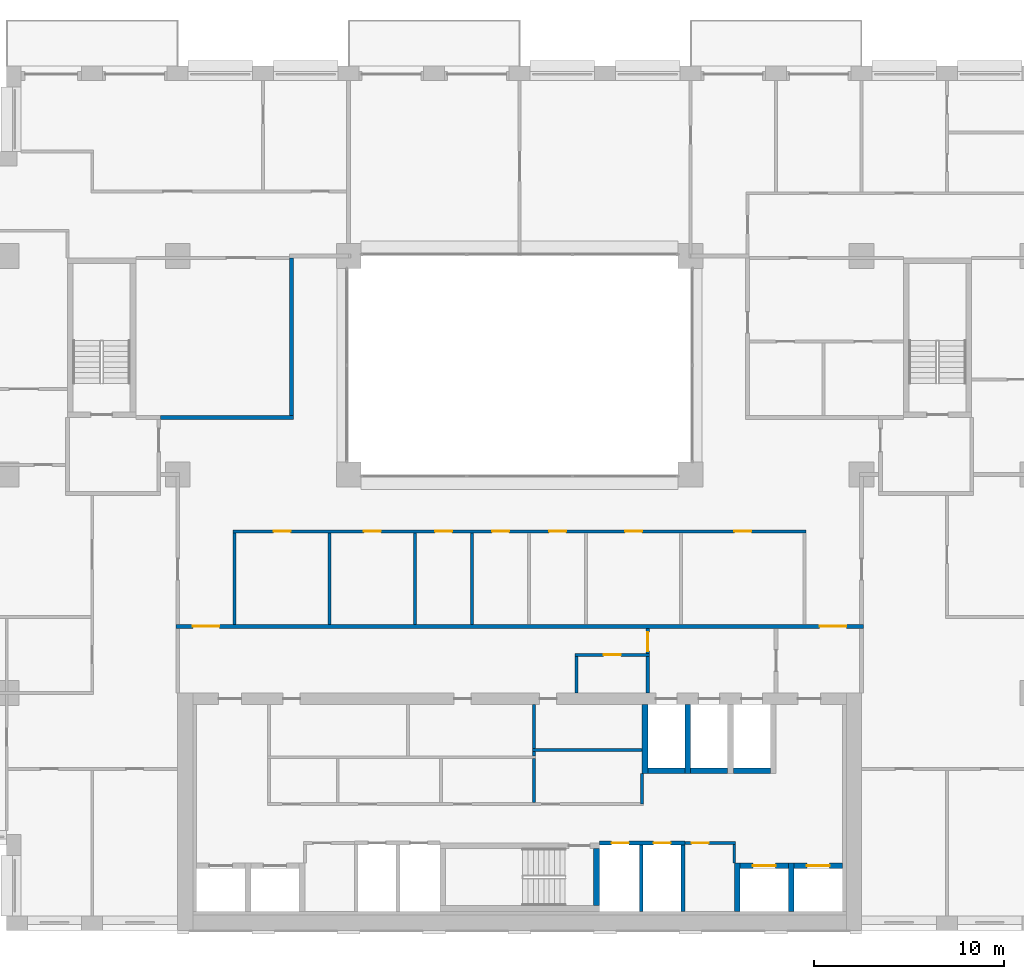
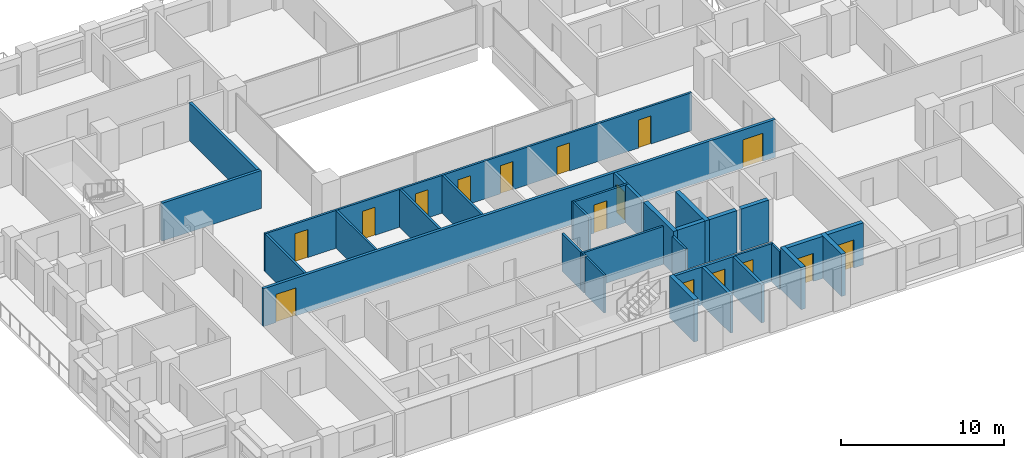
# One storey, part 10 of 16: 32 walls, 16 doors, 16 openings.
"""IFC4 building model written with IfcOpenShell, lengths in metres."""

from ifc_helpers import new_model, si_unit, direction, frame, frame_2d, origin, place, context, subcontext, project, spatial, rectangle, extrude, material, layer, layer_set, type_object, element, fill, save


model = new_model("IFC4")

# Units and contexts
model_context = context("Model", 3, precision=1e-05, world=origin(), true_north=direction((0.0, 1.0)))
body_context = subcontext(model_context, "Body", "Model", "MODEL_VIEW")
ifc_project = project(units=[si_unit("LENGTHUNIT", "METRE"), si_unit("AREAUNIT", "SQUARE_METRE"), si_unit("VOLUMEUNIT", "CUBIC_METRE"), si_unit("PLANEANGLEUNIT", "RADIAN"), si_unit("MASSUNIT", "GRAM", prefix="KILO")], contexts=[model_context])

# Site, building, storey
site_placement = place(None, origin())
site = spatial("IfcSite", under=ifc_project, at=site_placement, CompositionType="ELEMENT")
building_placement = place(site_placement, origin())
building = spatial("IfcBuilding", under=site, at=building_placement, Name="Brigalow Station Residences", CompositionType="ELEMENT")
storey_placement = place(building_placement, frame((0.0, 0.0, 108.75)))
storey = spatial("IfcBuildingStorey", under=building, at=storey_placement, Name="L31", CompositionType="ELEMENT", Elevation=108.75)

# Walls
ifc_material_1 = material(Name="Concrete C65", Category="concrete")
ifc_layer_1 = layer(ifc_material_1, 0.300048828125)
ifc_layer_set_1 = layer_set([ifc_layer_1], Name="CORE SHEAR WALL 300 C65")
wall_type_1 = type_object("IfcWallType", Name="CORE SHEAR WALL 300 C65", PredefinedType="SHEAR", material=ifc_layer_set_1)
wall_1_placement = place(storey_placement, frame((42.75, 8.39990234375, 0.0), z_axis=(0.0, 0.0, 1.0), x_axis=(1.0, 0.0, 0.0)))
element("IfcWall", 1, at=wall_1_placement, inside=storey, type_object=wall_type_1, Name="CORE WALL SH-FF1-S L31", PredefinedType="SHEAR", context=body_context, shape_type="SweptSolid", body=[
    extrude(rectangle(XDim=1.949951171875, YDim=0.300048828125, at=frame_2d((0.97509765625, 0.0))), origin(), (0.0, 0.0, 1.0), 3.14990234375),
])
wall_2_placement = place(storey_placement, frame((42.60009765625, 8.25, 0.0), z_axis=(0.0, 0.0, 1.0), x_axis=(0.0, 1.0, 0.0)))
element("IfcWall", 2, at=wall_2_placement, inside=storey, type_object=wall_type_1, Name="CORE WALL SH-FF1-W L31", PredefinedType="SHEAR", context=body_context, shape_type="SweptSolid", body=[
    extrude(rectangle(XDim=3.64990234375, YDim=0.300048828125, at=frame_2d((1.824951171875, 0.0))), origin(), (0.0, 0.0, 1.0), 3.14990234375),
])
wall_3_placement = place(storey_placement, frame((45.0, 8.39990234375, 0.0), z_axis=(0.0, 0.0, 1.0), x_axis=(1.0, 0.0, 0.0)))
element("IfcWall", 3, at=wall_3_placement, inside=storey, type_object=wall_type_1, Name="CORE WALL SH-FF2-S L31", PredefinedType="SHEAR", context=body_context, shape_type="SweptSolid", body=[
    extrude(rectangle(XDim=1.949951171875, YDim=0.300048828125, at=frame_2d((0.97509765625, 0.0))), origin(), (0.0, 0.0, 1.0), 3.14990234375),
])
wall_4_placement = place(storey_placement, frame((44.85009765625, 8.25, 0.0), z_axis=(0.0, 0.0, 1.0), x_axis=(0.0, 1.0, 0.0)))
element("IfcWall", 4, at=wall_4_placement, inside=storey, type_object=wall_type_1, Name="CORE WALL SH-FF2-W L31", PredefinedType="SHEAR", context=body_context, shape_type="SweptSolid", body=[
    extrude(rectangle(XDim=3.64990234375, YDim=0.300048828125, at=frame_2d((1.824951171875, 0.0))), origin(), (0.0, 0.0, 1.0), 3.14990234375),
])
wall_5_placement = place(storey_placement, frame((47.25, 8.39990234375, 0.0), z_axis=(0.0, 0.0, 1.0), x_axis=(1.0, 0.0, 0.0)))
element("IfcWall", 5, at=wall_5_placement, inside=storey, type_object=wall_type_1, Name="CORE WALL SH-SL1-S L31", PredefinedType="SHEAR", context=body_context, shape_type="SweptSolid", body=[
    extrude(rectangle(XDim=1.949951171875, YDim=0.300048828125, at=frame_2d((0.97509765625, 0.0))), origin(), (0.0, 0.0, 1.0), 3.14990234375),
])

# Wall, opening, door
wall_6_placement = place(storey_placement, frame((47.60009765625, 3.39990234375, 0.0), z_axis=(0.0, 0.0, 1.0), x_axis=(1.0, 0.0, 0.0)))
wall_6 = element("IfcWall", 6, at=wall_6_placement, inside=storey, type_object=wall_type_1, Name="CORE WALL SH-C3-N L31", PredefinedType="SHEAR", context=body_context, shape_type="SweptSolid", body=[
    extrude(rectangle(XDim=2.5498046875, YDim=0.300048828125, at=frame_2d((1.27490234375, 0.0))), origin(), (0.0, 0.0, 1.0), 3.14990234375),
])
opening_1_placement = place(wall_6_placement, frame((0.675048828125, 0.0, 0.0)))
opening_1 = element("IfcOpeningElement", 7, at=opening_1_placement, cuts=wall_6, Name="Opening LD-LB3", PredefinedType="OPENING", context=body_context, shape_type="SweptSolid", body=[
    extrude(rectangle(XDim=1.199951171875, YDim=2.10009765625, at=frame_2d((0.60009765625, 1.050048828125))), frame((0.0, 0.16015625, 0.0), z_axis=(0.0, -1.0, 0.0), x_axis=(1.0, 0.0, 0.0)), (0.0, 0.0, 1.0), 0.320068359375),
])
ifc_material_2 = material(Name="Stainless steel sliding door leaves", Category="steel")
door_type_1 = type_object("IfcDoorType", Name="LIFT LANDING DOOR 1200 x 2100", OperationType="DOUBLE_DOOR_SLIDING", PredefinedType="DOOR", material=ifc_material_2)
door_1_placement = place(opening_1_placement, origin())
door_1 = element("IfcDoor", 8, at=door_1_placement, inside=storey, type_object=door_type_1, Name="LANDING DOOR LB3", OperationType="DOUBLE_DOOR_SLIDING", OverallHeight=2.10009765625, OverallWidth=1.199951171875, PredefinedType="DOOR", context=body_context, shape_type="SweptSolid", body=[
    extrude(rectangle(XDim=1.199951171875, YDim=2.10009765625, at=frame_2d((0.60009765625, 1.050048828125))), frame((0.0, 0.02490234375, 0.0), z_axis=(0.0, -1.0, 0.0), x_axis=(1.0, 0.0, 0.0)), (0.0, 0.0, 1.0), 0.050048828125),
])
fill(opening_1, door_1)

# Wall
wall_7_placement = place(storey_placement, frame((47.449951171875, 1.0, 0.0), z_axis=(0.0, 0.0, 1.0), x_axis=(0.0, 1.0, 0.0)))
element("IfcWall", 9, at=wall_7_placement, inside=storey, type_object=wall_type_1, Name="CORE WALL SH-C3-W L31", PredefinedType="SHEAR", context=body_context, shape_type="SweptSolid", body=[
    extrude(rectangle(XDim=2.550048828125, YDim=0.300048828125, at=frame_2d((1.27490234375, 0.0))), origin(), (0.0, 0.0, 1.0), 3.14990234375),
])

# Wall, opening, door
wall_8_placement = place(storey_placement, frame((50.449951171875, 3.39990234375, 0.0), z_axis=(0.0, 0.0, 1.0), x_axis=(1.0, 0.0, 0.0)))
wall_8 = element("IfcWall", 10, at=wall_8_placement, inside=storey, type_object=wall_type_1, Name="CORE WALL SH-C4-N L31", PredefinedType="SHEAR", context=body_context, shape_type="SweptSolid", body=[
    extrude(rectangle(XDim=2.550048828125, YDim=0.300048828125, at=frame_2d((1.27490234375, 0.0))), origin(), (0.0, 0.0, 1.0), 3.14990234375),
])
opening_2_placement = place(wall_8_placement, frame((0.675048828125, 0.0, 0.0)))
opening_2 = element("IfcOpeningElement", 11, at=opening_2_placement, cuts=wall_8, Name="Opening LD-LB4", PredefinedType="OPENING", context=body_context, shape_type="SweptSolid", body=[
    extrude(rectangle(XDim=1.199951171875, YDim=2.10009765625, at=frame_2d((0.60009765625, 1.050048828125))), frame((0.0, 0.16015625, 0.0), z_axis=(0.0, -1.0, 0.0), x_axis=(1.0, 0.0, 0.0)), (0.0, 0.0, 1.0), 0.320068359375),
])
door_2_placement = place(opening_2_placement, origin())
door_2 = element("IfcDoor", 12, at=door_2_placement, inside=storey, type_object=door_type_1, Name="LANDING DOOR LB4", OperationType="DOUBLE_DOOR_SLIDING", OverallHeight=2.10009765625, OverallWidth=1.199951171875, PredefinedType="DOOR", context=body_context, shape_type="SweptSolid", body=[
    extrude(rectangle(XDim=1.199951171875, YDim=2.10009765625, at=frame_2d((0.60009765625, 1.050048828125))), frame((0.0, 0.02490234375, 0.0), z_axis=(0.0, -1.0, 0.0), x_axis=(1.0, 0.0, 0.0)), (0.0, 0.0, 1.0), 0.050048828125),
])
fill(opening_2, door_2)

# Walls
wall_9_placement = place(storey_placement, frame((50.300048828125, 1.0, 0.0), z_axis=(0.0, 0.0, 1.0), x_axis=(0.0, 1.0, 0.0)))
element("IfcWall", 13, at=wall_9_placement, inside=storey, type_object=wall_type_1, Name="CORE WALL SH-C4-W L31", PredefinedType="SHEAR", context=body_context, shape_type="SweptSolid", body=[
    extrude(rectangle(XDim=2.550048828125, YDim=0.300048828125, at=frame_2d((1.27490234375, 0.0))), origin(), (0.0, 0.0, 1.0), 3.14990234375),
])
wall_10_placement = place(storey_placement, frame((40.050048828125, 1.300048828125, 0.0), z_axis=(0.0, 0.0, 1.0), x_axis=(0.0, 1.0, 0.0)))
element("IfcWall", 14, at=wall_10_placement, inside=storey, type_object=wall_type_1, Name="CORE WALL ST-S2-E L31", PredefinedType="SHEAR", context=body_context, shape_type="SweptSolid", body=[
    extrude(rectangle(XDim=3.0, YDim=0.300048828125, at=frame_2d((1.5, 0.0))), origin(), (0.0, 0.0, 1.0), 3.14990234375),
])

# Wall, openings, doors
ifc_material_3 = material(Name="Concrete blockwork", Category="masonry")
ifc_layer_2 = layer(ifc_material_3, 0.199951171875)
ifc_layer_set_2 = layer_set([ifc_layer_2], Name="FIRE RATED CORE PARTITION 200")
wall_type_2 = type_object("IfcWallType", Name="FIRE RATED CORE PARTITION 200", PredefinedType="PARTITIONING", material=ifc_layer_set_2)
wall_11_placement = place(storey_placement, frame((40.199951171875, 4.60009765625, 0.0), z_axis=(0.0, 0.0, 1.0), x_axis=(1.0, 0.0, 0.0)))
wall_11 = element("IfcWall", 15, at=wall_11_placement, inside=storey, type_object=wall_type_2, Name="PW-5018", PredefinedType="PARTITIONING", context=body_context, shape_type="SweptSolid", body=[
    extrude(rectangle(XDim=4.5, YDim=0.199951171875, at=frame_2d((2.25, 0.0))), origin(), (0.0, 0.0, 1.0), 2.830078125),
])
opening_3_placement = place(wall_11_placement, frame((0.64990234375, 0.0, 0.0)))
opening_3 = element("IfcOpeningElement", 16, at=opening_3_placement, cuts=wall_11, Name="Opening D-5009", PredefinedType="OPENING", context=body_context, shape_type="SweptSolid", body=[
    extrude(rectangle(XDim=0.89990234375, YDim=2.10009765625, at=frame_2d((0.449951171875, 1.050048828125))), frame((0.0, 0.10986328125, 0.0), z_axis=(0.0, -1.0, 0.0), x_axis=(1.0, 0.0, 0.0)), (0.0, 0.0, 1.0), 0.219970703125),
])
opening_4_placement = place(wall_11_placement, frame((2.85009765625, 0.0, 0.0)))
opening_4 = element("IfcOpeningElement", 17, at=opening_4_placement, cuts=wall_11, Name="Opening D-5010", PredefinedType="OPENING", context=body_context, shape_type="SweptSolid", body=[
    extrude(rectangle(XDim=0.89990234375, YDim=2.10009765625, at=frame_2d((0.449951171875, 1.050048828125))), frame((0.0, 0.10986328125, 0.0), z_axis=(0.0, -1.0, 0.0), x_axis=(1.0, 0.0, 0.0)), (0.0, 0.0, 1.0), 0.219970703125),
])
ifc_material_4 = material(Name="Steel fire door leaf in steel frame", Category="steel")
door_type_2 = type_object("IfcDoorType", Name="RISER ACCESS DOOR 900 x 2100 FD120", OperationType="SINGLE_SWING_LEFT", PredefinedType="DOOR", material=ifc_material_4)
door_3_placement = place(opening_3_placement, frame((0.89990234375, 0.0, 0.0), z_axis=(0.0, 0.0, 1.0), x_axis=(-1.0, 0.0, 0.0)))
door_3 = element("IfcDoor", 18, at=door_3_placement, inside=storey, type_object=door_type_2, Name="D-5009", OperationType="SINGLE_SWING_LEFT", OverallHeight=2.10009765625, OverallWidth=0.89990234375, PredefinedType="DOOR", context=body_context, shape_type="SweptSolid", body=[
    extrude(rectangle(XDim=0.89990234375, YDim=2.10009765625, at=frame_2d((0.449951171875, 1.050048828125))), frame((0.0, 0.02490234375, 0.0), z_axis=(0.0, -1.0, 0.0), x_axis=(1.0, 0.0, 0.0)), (0.0, 0.0, 1.0), 0.050048828125),
])
fill(opening_3, door_3)
door_4_placement = place(opening_4_placement, frame((0.89990234375, 0.0, 0.0), z_axis=(0.0, 0.0, 1.0), x_axis=(-1.0, 0.0, 0.0)))
door_4 = element("IfcDoor", 19, at=door_4_placement, inside=storey, type_object=door_type_2, Name="D-5010", OperationType="SINGLE_SWING_LEFT", OverallHeight=2.10009765625, OverallWidth=0.89990234375, PredefinedType="DOOR", context=body_context, shape_type="SweptSolid", body=[
    extrude(rectangle(XDim=0.89990234375, YDim=2.10009765625, at=frame_2d((0.449951171875, 1.050048828125))), frame((0.0, 0.02490234375, 0.0), z_axis=(0.0, -1.0, 0.0), x_axis=(1.0, 0.0, 0.0)), (0.0, 0.0, 1.0), 0.050048828125),
])
fill(opening_4, door_4)

# Walls
for number, where, z_axis, x_axis, name in (
    (20, (42.39990234375, 1.0, 0.0), (0.0, 0.0, 1.0), (0.0, 1.0, 0.0), "PW-5007"),
    (21, (44.60009765625, 1.0, 0.0), (0.0, 0.0, 1.0), (0.0, 1.0, 0.0), "PW-5008"),
):
    element("IfcWall", number, at=place(storey_placement, frame(where, z_axis=z_axis, x_axis=x_axis)), inside=storey, type_object=wall_type_2, Name=name, PredefinedType="PARTITIONING", context=body_context, shape_type="SweptSolid", body=[
        extrude(rectangle(XDim=3.5, YDim=0.199951171875, at=frame_2d((1.75, 0.0))), origin(), (0.0, 0.0, 1.0), 2.830078125),
    ])
wall_12_placement = place(storey_placement, frame((42.75, 12.5, 0.0), z_axis=(0.0, 0.0, 1.0), x_axis=(0.0, 1.0, 0.0)))
element("IfcWall", 22, at=wall_12_placement, inside=storey, type_object=wall_type_2, Name="PW-5046", PredefinedType="PARTITIONING", context=body_context, shape_type="SweptSolid", body=[
    extrude(rectangle(XDim=1.925048828125, YDim=0.199951171875, at=frame_2d((0.96240234375, 0.0))), origin(), (0.0, 0.0, 1.0), 2.830078125),
])

# Wall, opening, door
wall_13_placement = place(storey_placement, frame((42.75, 14.574951171875, 0.0), z_axis=(0.0, 0.0, 1.0), x_axis=(0.0, 1.0, 0.0)))
wall_13 = element("IfcWall", 23, at=wall_13_placement, inside=storey, type_object=wall_type_2, Name="PW-5047", PredefinedType="PARTITIONING", context=body_context, shape_type="SweptSolid", body=[
    extrude(rectangle(XDim=1.324951171875, YDim=0.199951171875, at=frame_2d((0.66259765625, 0.0))), origin(), (0.0, 0.0, 1.0), 2.830078125),
])
opening_5_placement = place(wall_13_placement, frame((0.125, 0.0, 0.0)))
opening_5 = element("IfcOpeningElement", 24, at=opening_5_placement, cuts=wall_13, Name="Opening D-5013", PredefinedType="OPENING", context=body_context, shape_type="SweptSolid", body=[
    extrude(rectangle(XDim=1.0, YDim=2.10009765625, at=frame_2d((0.5, 1.050048828125))), frame((0.0, 0.10986328125, 0.0), z_axis=(0.0, -1.0, 0.0), x_axis=(1.0, 0.0, 0.0)), (0.0, 0.0, 1.0), 0.219970703125),
])
ifc_material_5 = material(Name="Steel fire door leaf in steel frame", Category="steel")
door_type_3 = type_object("IfcDoorType", Name="LOBBY DOOR 1000 x 2100 FD60S", OperationType="SINGLE_SWING_LEFT", PredefinedType="DOOR", material=ifc_material_5)
door_5_placement = place(opening_5_placement, origin())
door_5 = element("IfcDoor", 25, at=door_5_placement, inside=storey, type_object=door_type_3, Name="D-5013", OperationType="SINGLE_SWING_LEFT", OverallHeight=2.10009765625, OverallWidth=1.0, PredefinedType="DOOR", context=body_context, shape_type="SweptSolid", body=[
    extrude(rectangle(XDim=1.0, YDim=2.10009765625, at=frame_2d((0.5, 1.050048828125))), frame((0.0, 0.02490234375, 0.0), z_axis=(0.0, -1.0, 0.0), x_axis=(1.0, 0.0, 0.0)), (0.0, 0.0, 1.0), 0.050048828125),
])
fill(opening_5, door_5)

# Wall, openings, doors
ifc_material_6 = material(Name="Plasterboard on steel stud partition", Category="steel")
ifc_layer_3 = layer(ifc_material_6, 0.14990234375)
ifc_layer_set_3 = layer_set([ifc_layer_3], Name="FLAT PARTITION 150")
wall_type_3 = type_object("IfcWallType", Name="FLAT PARTITION 150", PredefinedType="PARTITIONING", material=ifc_layer_set_3)
wall_14_placement = place(storey_placement, frame((20.925048828125, 21.0, 0.0), z_axis=(0.0, 0.0, 1.0), x_axis=(1.0, 0.0, 0.0)))
wall_14 = element("IfcWall", 26, at=wall_14_placement, inside=storey, type_object=wall_type_3, Name="PW-2C01", PredefinedType="PARTITIONING", context=body_context, shape_type="SweptSolid", body=[
    extrude(rectangle(XDim=30.14990234375, YDim=0.14990234375, at=frame_2d((15.074951171875, 0.0))), origin(), (0.0, 0.0, 1.0), 2.830078125),
])
opening_6_placement = place(wall_14_placement, frame((2.125, 0.0, 0.0)))
opening_6 = element("IfcOpeningElement", 27, at=opening_6_placement, cuts=wall_14, Name="Opening D-2C45", PredefinedType="OPENING", context=body_context, shape_type="SweptSolid", body=[
    extrude(rectangle(XDim=0.89990234375, YDim=2.10009765625, at=frame_2d((0.449951171875, 1.050048828125))), frame((0.0, 0.0849609375, 0.0), z_axis=(0.0, -1.0, 0.0), x_axis=(1.0, 0.0, 0.0)), (0.0, 0.0, 1.0), 0.169921875),
])
opening_7_placement = place(wall_14_placement, frame((6.875, 0.0, 0.0)))
opening_7 = element("IfcOpeningElement", 28, at=opening_7_placement, cuts=wall_14, Name="Opening D-2C46", PredefinedType="OPENING", context=body_context, shape_type="SweptSolid", body=[
    extrude(rectangle(XDim=0.89990234375, YDim=2.10009765625, at=frame_2d((0.449951171875, 1.050048828125))), frame((0.0, 0.0849609375, 0.0), z_axis=(0.0, -1.0, 0.0), x_axis=(1.0, 0.0, 0.0)), (0.0, 0.0, 1.0), 0.169921875),
])
opening_8_placement = place(wall_14_placement, frame((10.625, 0.0, 0.0)))
opening_8 = element("IfcOpeningElement", 29, at=opening_8_placement, cuts=wall_14, Name="Opening D-2C47", PredefinedType="OPENING", context=body_context, shape_type="SweptSolid", body=[
    extrude(rectangle(XDim=0.89990234375, YDim=2.10009765625, at=frame_2d((0.449951171875, 1.050048828125))), frame((0.0, 0.0849609375, 0.0), z_axis=(0.0, -1.0, 0.0), x_axis=(1.0, 0.0, 0.0)), (0.0, 0.0, 1.0), 0.169921875),
])
opening_9_placement = place(wall_14_placement, frame((13.625, 0.0, 0.0)))
opening_9 = element("IfcOpeningElement", 30, at=opening_9_placement, cuts=wall_14, Name="Opening D-2C48", PredefinedType="OPENING", context=body_context, shape_type="SweptSolid", body=[
    extrude(rectangle(XDim=0.89990234375, YDim=2.10009765625, at=frame_2d((0.449951171875, 1.050048828125))), frame((0.0, 0.0849609375, 0.0), z_axis=(0.0, -1.0, 0.0), x_axis=(1.0, 0.0, 0.0)), (0.0, 0.0, 1.0), 0.169921875),
])
opening_10_placement = place(wall_14_placement, frame((16.625, 0.0, 0.0)))
opening_10 = element("IfcOpeningElement", 31, at=opening_10_placement, cuts=wall_14, Name="Opening D-2C49", PredefinedType="OPENING", context=body_context, shape_type="SweptSolid", body=[
    extrude(rectangle(XDim=0.89990234375, YDim=2.10009765625, at=frame_2d((0.449951171875, 1.050048828125))), frame((0.0, 0.0849609375, 0.0), z_axis=(0.0, -1.0, 0.0), x_axis=(1.0, 0.0, 0.0)), (0.0, 0.0, 1.0), 0.169921875),
])
opening_11_placement = place(wall_14_placement, frame((20.625, 0.0, 0.0)))
opening_11 = element("IfcOpeningElement", 32, at=opening_11_placement, cuts=wall_14, Name="Opening D-2C50", PredefinedType="OPENING", context=body_context, shape_type="SweptSolid", body=[
    extrude(rectangle(XDim=0.89990234375, YDim=2.10009765625, at=frame_2d((0.449951171875, 1.050048828125))), frame((0.0, 0.0849609375, 0.0), z_axis=(0.0, -1.0, 0.0), x_axis=(1.0, 0.0, 0.0)), (0.0, 0.0, 1.0), 0.169921875),
])
opening_12_placement = place(wall_14_placement, frame((26.375, 0.0, 0.0)))
opening_12 = element("IfcOpeningElement", 33, at=opening_12_placement, cuts=wall_14, Name="Opening D-2C51", PredefinedType="OPENING", context=body_context, shape_type="SweptSolid", body=[
    extrude(rectangle(XDim=0.89990234375, YDim=2.10009765625, at=frame_2d((0.449951171875, 1.050048828125))), frame((0.0, 0.0849609375, 0.0), z_axis=(0.0, -1.0, 0.0), x_axis=(1.0, 0.0, 0.0)), (0.0, 0.0, 1.0), 0.169921875),
])
ifc_material_7 = material(Name="Solid-core timber door leaf", Category="wood")
door_type_4 = type_object("IfcDoorType", Name="INTERNAL DOOR 900 x 2100", OperationType="SINGLE_SWING_LEFT", PredefinedType="DOOR", material=ifc_material_7)
door_6_placement = place(opening_6_placement, frame((0.89990234375, 0.0, 0.0), z_axis=(0.0, 0.0, 1.0), x_axis=(-1.0, 0.0, 0.0)))
door_6 = element("IfcDoor", 34, at=door_6_placement, inside=storey, type_object=door_type_4, Name="D-2C45", OperationType="SINGLE_SWING_RIGHT", OverallHeight=2.10009765625, OverallWidth=0.89990234375, PredefinedType="DOOR", context=body_context, shape_type="SweptSolid", body=[
    extrude(rectangle(XDim=0.89990234375, YDim=2.10009765625, at=frame_2d((0.449951171875, 1.050048828125))), frame((0.0, 0.02490234375, 0.0), z_axis=(0.0, -1.0, 0.0), x_axis=(1.0, 0.0, 0.0)), (0.0, 0.0, 1.0), 0.050048828125),
])
fill(opening_6, door_6)
door_7_placement = place(opening_7_placement, frame((0.89990234375, 0.0, 0.0), z_axis=(0.0, 0.0, 1.0), x_axis=(-1.0, 0.0, 0.0)))
door_7 = element("IfcDoor", 35, at=door_7_placement, inside=storey, type_object=door_type_4, Name="D-2C46", OperationType="SINGLE_SWING_RIGHT", OverallHeight=2.10009765625, OverallWidth=0.89990234375, PredefinedType="DOOR", context=body_context, shape_type="SweptSolid", body=[
    extrude(rectangle(XDim=0.89990234375, YDim=2.10009765625, at=frame_2d((0.449951171875, 1.050048828125))), frame((0.0, 0.02490234375, 0.0), z_axis=(0.0, -1.0, 0.0), x_axis=(1.0, 0.0, 0.0)), (0.0, 0.0, 1.0), 0.050048828125),
])
fill(opening_7, door_7)
door_8_placement = place(opening_8_placement, frame((0.89990234375, 0.0, 0.0), z_axis=(0.0, 0.0, 1.0), x_axis=(-1.0, 0.0, 0.0)))
door_8 = element("IfcDoor", 36, at=door_8_placement, inside=storey, type_object=door_type_4, Name="D-2C47", OperationType="SINGLE_SWING_RIGHT", OverallHeight=2.10009765625, OverallWidth=0.89990234375, PredefinedType="DOOR", context=body_context, shape_type="SweptSolid", body=[
    extrude(rectangle(XDim=0.89990234375, YDim=2.10009765625, at=frame_2d((0.449951171875, 1.050048828125))), frame((0.0, 0.02490234375, 0.0), z_axis=(0.0, -1.0, 0.0), x_axis=(1.0, 0.0, 0.0)), (0.0, 0.0, 1.0), 0.050048828125),
])
fill(opening_8, door_8)
door_9_placement = place(opening_9_placement, frame((0.89990234375, 0.0, 0.0), z_axis=(0.0, 0.0, 1.0), x_axis=(-1.0, 0.0, 0.0)))
door_9 = element("IfcDoor", 37, at=door_9_placement, inside=storey, type_object=door_type_4, Name="D-2C48", OperationType="SINGLE_SWING_LEFT", OverallHeight=2.10009765625, OverallWidth=0.89990234375, PredefinedType="DOOR", context=body_context, shape_type="SweptSolid", body=[
    extrude(rectangle(XDim=0.89990234375, YDim=2.10009765625, at=frame_2d((0.449951171875, 1.050048828125))), frame((0.0, 0.02490234375, 0.0), z_axis=(0.0, -1.0, 0.0), x_axis=(1.0, 0.0, 0.0)), (0.0, 0.0, 1.0), 0.050048828125),
])
fill(opening_9, door_9)
door_10_placement = place(opening_10_placement, frame((0.89990234375, 0.0, 0.0), z_axis=(0.0, 0.0, 1.0), x_axis=(-1.0, 0.0, 0.0)))
door_10 = element("IfcDoor", 38, at=door_10_placement, inside=storey, type_object=door_type_4, Name="D-2C49", OperationType="SINGLE_SWING_LEFT", OverallHeight=2.10009765625, OverallWidth=0.89990234375, PredefinedType="DOOR", context=body_context, shape_type="SweptSolid", body=[
    extrude(rectangle(XDim=0.89990234375, YDim=2.10009765625, at=frame_2d((0.449951171875, 1.050048828125))), frame((0.0, 0.02490234375, 0.0), z_axis=(0.0, -1.0, 0.0), x_axis=(1.0, 0.0, 0.0)), (0.0, 0.0, 1.0), 0.050048828125),
])
fill(opening_10, door_10)
door_11_placement = place(opening_11_placement, frame((0.89990234375, 0.0, 0.0), z_axis=(0.0, 0.0, 1.0), x_axis=(-1.0, 0.0, 0.0)))
door_11 = element("IfcDoor", 39, at=door_11_placement, inside=storey, type_object=door_type_4, Name="D-2C50", OperationType="SINGLE_SWING_RIGHT", OverallHeight=2.10009765625, OverallWidth=0.89990234375, PredefinedType="DOOR", context=body_context, shape_type="SweptSolid", body=[
    extrude(rectangle(XDim=0.89990234375, YDim=2.10009765625, at=frame_2d((0.449951171875, 1.050048828125))), frame((0.0, 0.02490234375, 0.0), z_axis=(0.0, -1.0, 0.0), x_axis=(1.0, 0.0, 0.0)), (0.0, 0.0, 1.0), 0.050048828125),
])
fill(opening_11, door_11)
door_12_placement = place(opening_12_placement, frame((0.89990234375, 0.0, 0.0), z_axis=(0.0, 0.0, 1.0), x_axis=(-1.0, 0.0, 0.0)))
door_12 = element("IfcDoor", 40, at=door_12_placement, inside=storey, type_object=door_type_4, Name="D-2C51", OperationType="SINGLE_SWING_LEFT", OverallHeight=2.10009765625, OverallWidth=0.89990234375, PredefinedType="DOOR", context=body_context, shape_type="SweptSolid", body=[
    extrude(rectangle(XDim=0.89990234375, YDim=2.10009765625, at=frame_2d((0.449951171875, 1.050048828125))), frame((0.0, 0.02490234375, 0.0), z_axis=(0.0, -1.0, 0.0), x_axis=(1.0, 0.0, 0.0)), (0.0, 0.0, 1.0), 0.050048828125),
])
fill(opening_12, door_12)

# Walls
for number, where, z_axis, x_axis, name in (
    (41, (21.0, 16.10009765625, 0.0), (0.0, 0.0, 1.0), (0.0, 1.0, 0.0), "PW-2C39"),
    (42, (26.0, 16.10009765625, 0.0), (0.0, 0.0, 1.0), (0.0, 1.0, 0.0), "PW-2C67"),
    (43, (30.5, 16.10009765625, 0.0), (0.0, 0.0, 1.0), (0.0, 1.0, 0.0), "PW-2C68"),
    (44, (33.5, 16.10009765625, 0.0), (0.0, 0.0, 1.0), (0.0, 1.0, 0.0), "PW-2C69"),
):
    element("IfcWall", number, at=place(storey_placement, frame(where, z_axis=z_axis, x_axis=x_axis)), inside=storey, type_object=wall_type_3, Name=name, PredefinedType="PARTITIONING", context=body_context, shape_type="SweptSolid", body=[
        extrude(rectangle(XDim=4.824951171875, YDim=0.14990234375, at=frame_2d((2.41259765625, 0.0))), origin(), (0.0, 0.0, 1.0), 2.830078125),
    ])
ifc_material_8 = material(Name="Plasterboard on steel stud partition", Category="steel")
ifc_layer_4 = layer(ifc_material_8, 0.199951171875)
ifc_layer_set_4 = layer_set([ifc_layer_4], Name="PARTY AND CORRIDOR WALL 200")
wall_type_4 = type_object("IfcWallType", Name="PARTY AND CORRIDOR WALL 200", PredefinedType="PARTITIONING", material=ifc_layer_set_4)
wall_15_placement = place(storey_placement, frame((17.10009765625, 27.0, 0.0), z_axis=(0.0, 0.0, 1.0), x_axis=(1.0, 0.0, 0.0)))
element("IfcWall", 45, at=wall_15_placement, inside=storey, type_object=wall_type_4, Name="PW-2C05", PredefinedType="PARTITIONING", context=body_context, shape_type="SweptSolid", body=[
    extrude(rectangle(XDim=7.0, YDim=0.199951171875, at=frame_2d((3.5, 0.0))), origin(), (0.0, 0.0, 1.0), 2.830078125),
])

# Wall, openings, doors
wall_16_placement = place(storey_placement, frame((17.89990234375, 16.0, 0.0), z_axis=(0.0, 0.0, 1.0), x_axis=(1.0, 0.0, 0.0)))
wall_16 = element("IfcWall", 46, at=wall_16_placement, inside=storey, type_object=wall_type_4, Name="PW-2C35", PredefinedType="PARTITIONING", context=body_context, shape_type="SweptSolid", body=[
    extrude(rectangle(XDim=36.2001953125, YDim=0.199951171875, at=frame_2d((18.10009765625, 0.0))), origin(), (0.0, 0.0, 1.0), 2.830078125),
])
opening_13_placement = place(wall_16_placement, frame((0.89990234375, 0.0, 0.0)))
opening_13 = element("IfcOpeningElement", 47, at=opening_13_placement, cuts=wall_16, Name="Opening D-2C01", PredefinedType="OPENING", context=body_context, shape_type="SweptSolid", body=[
    extrude(rectangle(XDim=1.39990234375, YDim=2.10009765625, at=frame_2d((0.699951171875, 1.050048828125))), frame((0.0, 0.10986328125, 0.0), z_axis=(0.0, -1.0, 0.0), x_axis=(1.0, 0.0, 0.0)), (0.0, 0.0, 1.0), 0.219970703125),
])
opening_14_placement = place(wall_16_placement, frame((33.89990234375, 0.0, 0.0)))
opening_14 = element("IfcOpeningElement", 48, at=opening_14_placement, cuts=wall_16, Name="Opening D-2C02", PredefinedType="OPENING", context=body_context, shape_type="SweptSolid", body=[
    extrude(rectangle(XDim=1.39990234375, YDim=2.10009765625, at=frame_2d((0.699951171875, 1.050048828125))), frame((0.0, 0.10986328125, 0.0), z_axis=(0.0, -1.0, 0.0), x_axis=(1.0, 0.0, 0.0)), (0.0, 0.0, 1.0), 0.219970703125),
])
ifc_material_9 = material(Name="Solid-core timber door leaf", Category="wood")
door_type_5 = type_object("IfcDoorType", Name="CORRIDOR FIRE DOOR 1400 x 2100 FRL -/60/30", OperationType="DOUBLE_DOOR_SINGLE_SWING", PredefinedType="DOOR", material=ifc_material_9)
door_13_placement = place(opening_13_placement, frame((1.39990234375, 0.0, 0.0), z_axis=(0.0, 0.0, 1.0), x_axis=(-1.0, 0.0, 0.0)))
door_13 = element("IfcDoor", 49, at=door_13_placement, inside=storey, type_object=door_type_5, Name="D-2C01", OperationType="DOUBLE_DOOR_SINGLE_SWING", OverallHeight=2.10009765625, OverallWidth=1.39990234375, PredefinedType="DOOR", context=body_context, shape_type="SweptSolid", body=[
    extrude(rectangle(XDim=1.39990234375, YDim=2.10009765625, at=frame_2d((0.699951171875, 1.050048828125))), frame((0.0, 0.02490234375, 0.0), z_axis=(0.0, -1.0, 0.0), x_axis=(1.0, 0.0, 0.0)), (0.0, 0.0, 1.0), 0.050048828125),
])
fill(opening_13, door_13)
door_14_placement = place(opening_14_placement, frame((1.39990234375, 0.0, 0.0), z_axis=(0.0, 0.0, 1.0), x_axis=(-1.0, 0.0, 0.0)))
door_14 = element("IfcDoor", 50, at=door_14_placement, inside=storey, type_object=door_type_5, Name="D-2C02", OperationType="DOUBLE_DOOR_SINGLE_SWING", OverallHeight=2.10009765625, OverallWidth=1.39990234375, PredefinedType="DOOR", context=body_context, shape_type="SweptSolid", body=[
    extrude(rectangle(XDim=1.39990234375, YDim=2.10009765625, at=frame_2d((0.699951171875, 1.050048828125))), frame((0.0, 0.02490234375, 0.0), z_axis=(0.0, -1.0, 0.0), x_axis=(1.0, 0.0, 0.0)), (0.0, 0.0, 1.0), 0.050048828125),
])
fill(opening_14, door_14)

# Wall
wall_17_placement = place(storey_placement, frame((24.0, 27.10009765625, 0.0), z_axis=(0.0, 0.0, 1.0), x_axis=(0.0, 1.0, 0.0)))
element("IfcWall", 51, at=wall_17_placement, inside=storey, type_object=wall_type_4, Name="PW-2C41", PredefinedType="PARTITIONING", context=body_context, shape_type="SweptSolid", body=[
    extrude(rectangle(XDim=8.2998046875, YDim=0.199951171875, at=frame_2d((4.14990234375, 0.0))), origin(), (0.0, 0.0, 1.0), 2.830078125),
])

# Wall, opening, door
ifc_material_10 = material(Name="Plasterboard on steel studs", Category="steel")
ifc_layer_5 = layer(ifc_material_10, 0.14990234375)
ifc_layer_set_5 = layer_set([ifc_layer_5], Name="SERVICE ROOM PARTITION 150")
wall_type_5 = type_object("IfcWallType", Name="SERVICE ROOM PARTITION 150", PredefinedType="PARTITIONING", material=ifc_layer_set_5)
wall_18_placement = place(storey_placement, frame((44.699951171875, 4.60009765625, 0.0), z_axis=(0.0, 0.0, 1.0), x_axis=(1.0, 0.0, 0.0)))
wall_18 = element("IfcWall", 52, at=wall_18_placement, inside=storey, type_object=wall_type_5, Name="PW-5156", PredefinedType="PARTITIONING", context=body_context, shape_type="SweptSolid", body=[
    extrude(rectangle(XDim=2.675048828125, YDim=0.14990234375, at=frame_2d((1.33740234375, 0.0))), origin(), (0.0, 0.0, 1.0), 2.830078125),
])
opening_15_placement = place(wall_18_placement, frame((0.35009765625, 0.0, 0.0)))
opening_15 = element("IfcOpeningElement", 53, at=opening_15_placement, cuts=wall_18, Name="Opening D-5026", PredefinedType="OPENING", context=body_context, shape_type="SweptSolid", body=[
    extrude(rectangle(XDim=0.89990234375, YDim=2.10009765625, at=frame_2d((0.449951171875, 1.050048828125))), frame((0.0, 0.0849609375, 0.0), z_axis=(0.0, -1.0, 0.0), x_axis=(1.0, 0.0, 0.0)), (0.0, 0.0, 1.0), 0.169921875),
])
ifc_material_11 = material(Name="Steel door leaf in steel frame", Category="steel")
door_type_6 = type_object("IfcDoorType", Name="SERVICE ROOM DOOR 900 x 2100 FD60", OperationType="SINGLE_SWING_LEFT", PredefinedType="DOOR", material=ifc_material_11)
door_15_placement = place(opening_15_placement, frame((0.89990234375, 0.0, 0.0), z_axis=(0.0, 0.0, 1.0), x_axis=(-1.0, 0.0, 0.0)))
door_15 = element("IfcDoor", 54, at=door_15_placement, inside=storey, type_object=door_type_6, Name="D-5026", OperationType="SINGLE_SWING_RIGHT", OverallHeight=2.10009765625, OverallWidth=0.89990234375, PredefinedType="DOOR", context=body_context, shape_type="SweptSolid", body=[
    extrude(rectangle(XDim=0.89990234375, YDim=2.10009765625, at=frame_2d((0.449951171875, 1.050048828125))), frame((0.0, 0.02490234375, 0.0), z_axis=(0.0, -1.0, 0.0), x_axis=(1.0, 0.0, 0.0)), (0.0, 0.0, 1.0), 0.050048828125),
])
fill(opening_15, door_15)

# Wall
wall_19_placement = place(storey_placement, frame((36.675048828125, 9.5, 0.0), z_axis=(0.0, 0.0, 1.0), x_axis=(1.0, 0.0, 0.0)))
element("IfcWall", 55, at=wall_19_placement, inside=storey, type_object=wall_type_5, Name="PW-5215", PredefinedType="PARTITIONING", context=body_context, shape_type="SweptSolid", body=[
    extrude(rectangle(XDim=5.77490234375, YDim=0.14990234375, at=frame_2d((2.887451171875, 0.0))), origin(), (0.0, 0.0, 1.0), 2.830078125),
])

# Wall, opening, door
wall_20_placement = place(storey_placement, frame((38.925048828125, 14.5, 0.0), z_axis=(0.0, 0.0, 1.0), x_axis=(1.0, 0.0, 0.0)))
wall_20 = element("IfcWall", 56, at=wall_20_placement, inside=storey, type_object=wall_type_5, Name="PW-5129", PredefinedType="PARTITIONING", context=body_context, shape_type="SweptSolid", body=[
    extrude(rectangle(XDim=3.925048828125, YDim=0.14990234375, at=frame_2d((1.96240234375, 0.0))), origin(), (0.0, 0.0, 1.0), 2.830078125),
])
opening_16_placement = place(wall_20_placement, frame((1.5, 0.0, 0.0)))
opening_16 = element("IfcOpeningElement", 57, at=opening_16_placement, cuts=wall_20, Name="Opening D-5076", PredefinedType="OPENING", context=body_context, shape_type="SweptSolid", body=[
    extrude(rectangle(XDim=0.89990234375, YDim=2.10009765625, at=frame_2d((0.449951171875, 1.050048828125))), frame((0.0, 0.0849609375, 0.0), z_axis=(0.0, -1.0, 0.0), x_axis=(1.0, 0.0, 0.0)), (0.0, 0.0, 1.0), 0.169921875),
])
door_16_placement = place(opening_16_placement, frame((0.89990234375, 0.0, 0.0), z_axis=(0.0, 0.0, 1.0), x_axis=(-1.0, 0.0, 0.0)))
door_16 = element("IfcDoor", 58, at=door_16_placement, inside=storey, type_object=door_type_6, Name="D-5076", OperationType="SINGLE_SWING_LEFT", OverallHeight=2.10009765625, OverallWidth=0.89990234375, PredefinedType="DOOR", context=body_context, shape_type="SweptSolid", body=[
    extrude(rectangle(XDim=0.89990234375, YDim=2.10009765625, at=frame_2d((0.449951171875, 1.050048828125))), frame((0.0, 0.02490234375, 0.0), z_axis=(0.0, -1.0, 0.0), x_axis=(1.0, 0.0, 0.0)), (0.0, 0.0, 1.0), 0.050048828125),
])
fill(opening_16, door_16)

# Walls
wall_21_placement = place(storey_placement, frame((47.300048828125, 3.550048828125, 0.0), z_axis=(0.0, 0.0, 1.0), x_axis=(0.0, 1.0, 0.0)))
element("IfcWall", 59, at=wall_21_placement, inside=storey, type_object=wall_type_5, Name="PW-5158", PredefinedType="PARTITIONING", context=body_context, shape_type="SweptSolid", body=[
    extrude(rectangle(XDim=0.974853515625, YDim=0.14990234375, at=frame_2d((0.4873046875, 0.0))), origin(), (0.0, 0.0, 1.0), 2.830078125),
])
wall_22_placement = place(storey_placement, frame((42.449951171875, 6.64990234375, 0.0), z_axis=(0.0, 0.0, 1.0), x_axis=(0.0, 1.0, 0.0)))
element("IfcWall", 60, at=wall_22_placement, inside=storey, type_object=wall_type_5, Name="PW-5029", PredefinedType="PARTITIONING", context=body_context, shape_type="SweptSolid", body=[
    extrude(rectangle(XDim=1.60009765625, YDim=0.14990234375, at=frame_2d((0.800048828125, 0.0))), origin(), (0.0, 0.0, 1.0), 2.830078125),
])
wall_23_placement = place(storey_placement, frame((36.75, 6.72509765625, 0.0), z_axis=(0.0, 0.0, 1.0), x_axis=(0.0, 1.0, 0.0)))
element("IfcWall", 61, at=wall_23_placement, inside=storey, type_object=wall_type_5, Name="PW-5219", PredefinedType="PARTITIONING", context=body_context, shape_type="SweptSolid", body=[
    extrude(rectangle(XDim=2.309814453125, YDim=0.14990234375, at=frame_2d((1.15478515625, 0.0))), origin(), (0.0, 0.0, 1.0), 2.830078125),
])
wall_24_placement = place(storey_placement, frame((36.75, 9.18505859375, 0.0), z_axis=(0.0, 0.0, 1.0), x_axis=(0.0, 1.0, 0.0)))
element("IfcWall", 62, at=wall_24_placement, inside=storey, type_object=wall_type_5, Name="PW-5222", PredefinedType="PARTITIONING", context=body_context, shape_type="SweptSolid", body=[
    extrude(rectangle(XDim=0.239990234375, YDim=0.14990234375, at=frame_2d((0.1201171875, 0.0))), origin(), (0.0, 0.0, 1.0), 2.830078125),
])
wall_25_placement = place(storey_placement, frame((36.75, 9.574951171875, 0.0), z_axis=(0.0, 0.0, 1.0), x_axis=(0.0, 1.0, 0.0)))
element("IfcWall", 63, at=wall_25_placement, inside=storey, type_object=wall_type_5, Name="PW-5223", PredefinedType="PARTITIONING", context=body_context, shape_type="SweptSolid", body=[
    extrude(rectangle(XDim=2.324951171875, YDim=0.14990234375, at=frame_2d((1.16259765625, 0.0))), origin(), (0.0, 0.0, 1.0), 2.830078125),
])
wall_26_placement = place(storey_placement, frame((39.0, 12.5, 0.0), z_axis=(0.0, 0.0, 1.0), x_axis=(0.0, 1.0, 0.0)))
element("IfcWall", 64, at=wall_26_placement, inside=storey, type_object=wall_type_5, Name="PW-5136", PredefinedType="PARTITIONING", context=body_context, shape_type="SweptSolid", body=[
    extrude(rectangle(XDim=1.925048828125, YDim=0.14990234375, at=frame_2d((0.96240234375, 0.0))), origin(), (0.0, 0.0, 1.0), 2.830078125),
])

save(model, "model.ifc")
